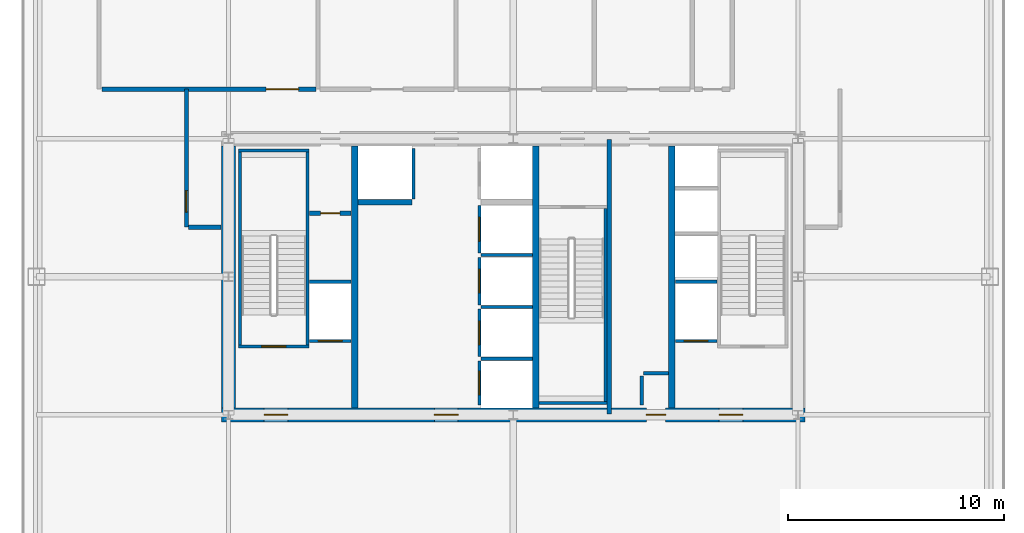
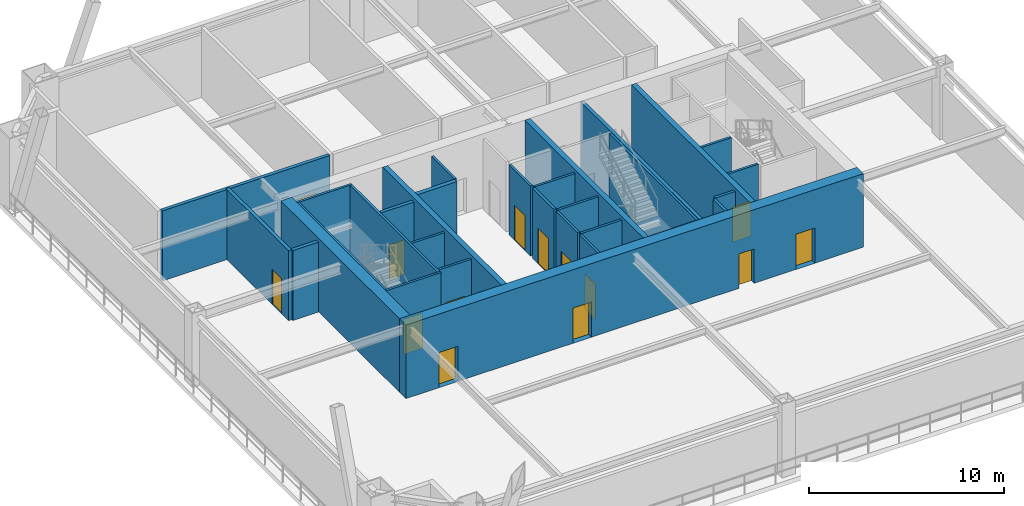
# One storey, part 4 of 9: 31 walls, 14 doors, 14 openings.
"""IFC4 building model written with IfcOpenShell, lengths in metres."""

from ifc_helpers import new_model, si_unit, direction, frame, frame_2d, origin, place, context, subcontext, project, spatial, rectangle, extrude, source, transform, mapped, material, layer, layer_set, type_object, element, fill, save


model = new_model("IFC4")

# Units and contexts
model_context = context("Model", 3, precision=1e-05, world=origin(), true_north=direction((0.0, 1.0)))
body_context = subcontext(model_context, "Body", "Model", "MODEL_VIEW")
ifc_project = project(units=[si_unit("LENGTHUNIT", "METRE"), si_unit("AREAUNIT", "SQUARE_METRE"), si_unit("VOLUMEUNIT", "CUBIC_METRE"), si_unit("PLANEANGLEUNIT", "RADIAN"), si_unit("MASSUNIT", "GRAM", prefix="KILO"), si_unit("THERMODYNAMICTEMPERATUREUNIT", "KELVIN"), si_unit("POWERUNIT", "WATT")], contexts=[model_context])

# Site, building, storey
site_placement = place(None, origin())
site = spatial("IfcSite", under=ifc_project, at=site_placement, CompositionType="ELEMENT")
building_placement = place(site_placement, origin())
building = spatial("IfcBuilding", under=site, at=building_placement, Name="Yuzanri Waterfront Tower", CompositionType="ELEMENT")
storey_placement = place(building_placement, frame((0.0, 0.0, 176.39990234375)))
storey = spatial("IfcBuildingStorey", under=building, at=storey_placement, Name="L46", CompositionType="ELEMENT", Elevation=176.39990234375)

# Wall, openings, doors
ifc_material_1 = material(Name="Concrete C50", Category="concrete")
ifc_layer_1 = layer(ifc_material_1, 0.64990234375)
ifc_layer_set_1 = layer_set([ifc_layer_1], Name="Concrete C50")
wall_type_1 = type_object("IfcWallType", Name="Concrete C50 Mid Zone Core Shear Wall 650", PredefinedType="SHEAR", material=ifc_layer_set_1)
wall_1_placement = place(storey_placement, frame((23.47509765625, 19.39990234375, 0.0), z_axis=(0.0, 0.0, 1.0), x_axis=(1.0, 0.0, 0.0)))
wall_1 = element("IfcWall", 1, at=wall_1_placement, inside=storey, type_object=wall_type_1, Name="L46 Core South Shear Wall", PredefinedType="SHEAR", context=body_context, shape_type="SweptSolid", body=[
    extrude(rectangle(XDim=27.0498046875, YDim=0.64990234375, at=frame_2d((13.52490234375, 0.0))), origin(), (0.0, 0.0, 1.0), 4.60009765625),
])
opening_1_placement = place(wall_1_placement, frame((1.97509765625, 0.0, 0.0)))
opening_1 = element("IfcOpeningElement", 2, at=opening_1_placement, cuts=wall_1, Name="Opening FD-1100", PredefinedType="OPENING", context=body_context, shape_type="SweptSolid", body=[
    extrude(rectangle(XDim=1.10009765625, YDim=2.199951171875, at=frame_2d((0.550048828125, 1.10009765625))), frame((0.0, 0.33984375, 0.0), z_axis=(0.0, -1.0, 0.0), x_axis=(1.0, 0.0, 0.0)), (0.0, 0.0, 1.0), 0.6796875),
])
opening_2_placement = place(wall_1_placement, frame((9.875, 0.0, 0.0)))
opening_2 = element("IfcOpeningElement", 3, at=opening_2_placement, cuts=wall_1, Name="Opening FD-1100", PredefinedType="OPENING", context=body_context, shape_type="SweptSolid", body=[
    extrude(rectangle(XDim=1.10009765625, YDim=2.199951171875, at=frame_2d((0.550048828125, 1.10009765625))), frame((0.0, 0.33984375, 0.0), z_axis=(0.0, -1.0, 0.0), x_axis=(1.0, 0.0, 0.0)), (0.0, 0.0, 1.0), 0.6796875),
])
opening_3_placement = place(wall_1_placement, frame((23.074951171875, 0.0, 0.0)))
opening_3 = element("IfcOpeningElement", 4, at=opening_3_placement, cuts=wall_1, Name="Opening FD-1100", PredefinedType="OPENING", context=body_context, shape_type="SweptSolid", body=[
    extrude(rectangle(XDim=1.10009765625, YDim=2.199951171875, at=frame_2d((0.550048828125, 1.10009765625))), frame((0.0, 0.33984375, 0.0), z_axis=(0.0, -1.0, 0.0), x_axis=(1.0, 0.0, 0.0)), (0.0, 0.0, 1.0), 0.6796875),
])
opening_4_placement = place(wall_1_placement, frame((19.695068359375, 0.0, 0.0)))
opening_4 = element("IfcOpeningElement", 5, at=opening_4_placement, cuts=wall_1, Name="Opening FD-0900", PredefinedType="OPENING", context=body_context, shape_type="SweptSolid", body=[
    extrude(rectangle(XDim=0.89990234375, YDim=2.14990234375, at=frame_2d((0.449951171875, 1.074951171875))), frame((0.0, 0.33984375, 0.0), z_axis=(0.0, -1.0, 0.0), x_axis=(1.0, 0.0, 0.0)), (0.0, 0.0, 1.0), 0.6796875),
])
ifc_material_2 = material(Name="Painted Galvanized Fire Steel", Category="steel")
door_type_1 = type_object("IfcDoorType", Name="Smoke-Proof Stair and Lobby Fire Door 1100x2200", OperationType="NOTDEFINED", PredefinedType="DOOR", material=ifc_material_2)
shared_shape_1 = source(origin(), body_context, "Body", "SweptSolid", [
    extrude(rectangle(XDim=1.10009765625, YDim=2.199951171875, at=frame_2d((0.550048828125, 1.10009765625))), frame((0.0, 0.02490234375, 0.0), z_axis=(0.0, -1.0, 0.0), x_axis=(1.0, 0.0, 0.0)), (0.0, 0.0, 1.0), 0.050048828125),
])
door_1_placement = place(opening_1_placement, origin())
door_1 = element("IfcDoor", 6, at=door_1_placement, inside=storey, type_object=door_type_1, Name="L46 West Firefighting Lobby Door", OperationType="SINGLE_SWING_LEFT", OverallHeight=2.199951171875, OverallWidth=1.10009765625, PredefinedType="DOOR", context=body_context, shape_type="MappedRepresentation", body=[
    mapped(shared_shape_1, transform((0.0, 0.0, 0.0), scale=1.0)),
])
fill(opening_1, door_1)
door_2_placement = place(opening_2_placement, origin())
door_2 = element("IfcDoor", 7, at=door_2_placement, inside=storey, type_object=door_type_1, Name="L46 Central Lift Lobby South Door", OperationType="SINGLE_SWING_RIGHT", OverallHeight=2.199951171875, OverallWidth=1.10009765625, PredefinedType="DOOR", context=body_context, shape_type="MappedRepresentation", body=[
    mapped(shared_shape_1, transform((0.0, 0.0, 0.0), scale=1.0)),
])
fill(opening_2, door_2)
door_3_placement = place(opening_3_placement, origin())
door_3 = element("IfcDoor", 8, at=door_3_placement, inside=storey, type_object=door_type_1, Name="L46 East Firefighting Lobby Door", OperationType="SINGLE_SWING_LEFT", OverallHeight=2.199951171875, OverallWidth=1.10009765625, PredefinedType="DOOR", context=body_context, shape_type="MappedRepresentation", body=[
    mapped(shared_shape_1, transform((0.0, 0.0, 0.0), scale=1.0)),
])
fill(opening_3, door_3)
ifc_material_3 = material(Name="Painted Galvanized Fire Steel", Category="steel")
door_type_2 = type_object("IfcDoorType", Name="Riser and Service Room Fire Door 900x2150", OperationType="NOTDEFINED", PredefinedType="DOOR", material=ifc_material_3)
shared_shape_2 = source(origin(), body_context, "Body", "SweptSolid", [
    extrude(rectangle(XDim=0.89990234375, YDim=2.14990234375, at=frame_2d((0.449951171875, 1.074951171875))), frame((0.0, 0.02490234375, 0.0), z_axis=(0.0, -1.0, 0.0), x_axis=(1.0, 0.0, 0.0)), (0.0, 0.0, 1.0), 0.050048828125),
])
door_4_placement = place(opening_4_placement, origin())
door_4 = element("IfcDoor", 9, at=door_4_placement, inside=storey, type_object=door_type_2, Name="L46 East Wet Riser Door", OperationType="SINGLE_SWING_RIGHT", OverallHeight=2.14990234375, OverallWidth=0.89990234375, PredefinedType="DOOR", context=body_context, shape_type="MappedRepresentation", body=[
    mapped(shared_shape_2, transform((0.0, 0.0, 0.0), scale=1.0)),
])
fill(opening_4, door_4)

# Wall, opening, door
ifc_material_4 = material(Name="Concrete C40", Category="concrete")
ifc_layer_2 = layer(ifc_material_4, 0.139892578125)
ifc_layer_set_2 = layer_set([ifc_layer_2], Name="Concrete C40")
wall_type_2 = type_object("IfcWallType", Name="Core Stair Liner and Hoistway Shaft Wall 140", PredefinedType="SOLIDWALL", material=ifc_layer_set_2)
wall_2_placement = place(storey_placement, frame((27.56005859375, 22.830078125, 0.0), z_axis=(0.0, 0.0, 1.0), x_axis=(1.0, 0.0, 0.0)))
wall_2 = element("IfcWall", 10, at=wall_2_placement, inside=storey, type_object=wall_type_2, Name="L46 Lift FL-01 Front Shaft Wall", PredefinedType="SOLIDWALL", context=body_context, shape_type="SweptSolid", body=[
    extrude(rectangle(XDim=1.919921875, YDim=0.139892578125, at=frame_2d((0.9599609375, 0.0))), origin(), (0.0, 0.0, 1.0), 4.380126953125),
])
opening_5_placement = place(wall_2_placement, frame((0.409912109375, 0.0, 0.0)))
opening_5 = element("IfcOpeningElement", 11, at=opening_5_placement, cuts=wall_2, Name="Opening LD-FL-01", PredefinedType="OPENING", context=body_context, shape_type="SweptSolid", body=[
    extrude(rectangle(XDim=1.10009765625, YDim=2.199951171875, at=frame_2d((0.550048828125, 1.10009765625))), frame((0.0, 0.0849609375, 0.0), z_axis=(0.0, -1.0, 0.0), x_axis=(1.0, 0.0, 0.0)), (0.0, 0.0, 1.0), 0.169677734375),
])
ifc_material_5 = material(Name="Brushed Bronze and Stainless Steel Cab", Category="steel")
door_type_3 = type_object("IfcDoorType", Name="Center-Parting Bronze Lift Landing Sliding Door 1100x2200", OperationType="NOTDEFINED", PredefinedType="DOOR", material=ifc_material_5)
shared_shape_3 = source(origin(), body_context, "Body", "SweptSolid", [
    extrude(rectangle(XDim=1.10009765625, YDim=2.199951171875, at=frame_2d((0.550048828125, 1.10009765625))), frame((0.0, 0.02490234375, 0.0), z_axis=(0.0, -1.0, 0.0), x_axis=(1.0, 0.0, 0.0)), (0.0, 0.0, 1.0), 0.050048828125),
])
door_5_placement = place(opening_5_placement, origin())
door_5 = element("IfcDoor", 12, at=door_5_placement, inside=storey, type_object=door_type_3, Name="L46 FL-01 Lift Landing Sliding Door", OperationType="SLIDING_TO_LEFT", OverallHeight=2.199951171875, OverallWidth=1.10009765625, PredefinedType="DOOR", context=body_context, shape_type="MappedRepresentation", body=[
    mapped(shared_shape_3, transform((0.0, 0.0, 0.0), scale=1.0)),
])
fill(opening_5, door_5)

wall_3_placement = place(storey_placement, frame((44.52001953125, 22.830078125, 0.0), z_axis=(0.0, 0.0, 1.0), x_axis=(1.0, 0.0, 0.0)))
wall_3 = element("IfcWall", 13, at=wall_3_placement, inside=storey, type_object=wall_type_2, Name="L46 Lift FL-02 Front Shaft Wall", PredefinedType="SOLIDWALL", context=body_context, shape_type="SweptSolid", body=[
    extrude(rectangle(XDim=1.919921875, YDim=0.139892578125, at=frame_2d((0.9599609375, 0.0))), origin(), (0.0, 0.0, 1.0), 4.380126953125),
])
opening_6_placement = place(wall_3_placement, frame((0.409912109375, 0.0, 0.0)))
opening_6 = element("IfcOpeningElement", 14, at=opening_6_placement, cuts=wall_3, Name="Opening LD-FL-02", PredefinedType="OPENING", context=body_context, shape_type="SweptSolid", body=[
    extrude(rectangle(XDim=1.10009765625, YDim=2.199951171875, at=frame_2d((0.550048828125, 1.10009765625))), frame((0.0, 0.0849609375, 0.0), z_axis=(0.0, -1.0, 0.0), x_axis=(1.0, 0.0, 0.0)), (0.0, 0.0, 1.0), 0.169677734375),
])
door_6_placement = place(opening_6_placement, origin())
door_6 = element("IfcDoor", 15, at=door_6_placement, inside=storey, type_object=door_type_3, Name="L46 FL-02 Lift Landing Sliding Door", OperationType="SLIDING_TO_RIGHT", OverallHeight=2.199951171875, OverallWidth=1.10009765625, PredefinedType="DOOR", context=body_context, shape_type="MappedRepresentation", body=[
    mapped(shared_shape_3, transform((0.0, 0.0, 0.0), scale=1.0)),
])
fill(opening_6, door_6)

wall_4_placement = place(storey_placement, frame((35.429931640625, 19.860107421875, 0.0), z_axis=(0.0, 0.0, 1.0), x_axis=(0.0, 1.0, 0.0)))
wall_4 = element("IfcWall", 16, at=wall_4_placement, inside=storey, type_object=wall_type_2, Name="L46 Lift PL-05 Front Shaft Wall", PredefinedType="SOLIDWALL", context=body_context, shape_type="SweptSolid", body=[
    extrude(rectangle(XDim=2.039794921875, YDim=0.139892578125, at=frame_2d((1.02001953125, 0.0))), origin(), (0.0, 0.0, 1.0), 4.380126953125),
])
opening_7_placement = place(wall_4_placement, frame((0.469970703125, 0.0, 0.0)))
opening_7 = element("IfcOpeningElement", 17, at=opening_7_placement, cuts=wall_4, Name="Opening LD-PL-05", PredefinedType="OPENING", context=body_context, shape_type="SweptSolid", body=[
    extrude(rectangle(XDim=1.10009765625, YDim=2.199951171875, at=frame_2d((0.550048828125, 1.10009765625))), frame((0.0, 0.0849609375, 0.0), z_axis=(0.0, -1.0, 0.0), x_axis=(1.0, 0.0, 0.0)), (0.0, 0.0, 1.0), 0.169677734375),
])
door_7_placement = place(opening_7_placement, origin())
door_7 = element("IfcDoor", 18, at=door_7_placement, inside=storey, type_object=door_type_3, Name="L46 PL-05 Lift Landing Sliding Door", OperationType="SLIDING_TO_RIGHT", OverallHeight=2.199951171875, OverallWidth=1.10009765625, PredefinedType="DOOR", context=body_context, shape_type="MappedRepresentation", body=[
    mapped(shared_shape_3, transform((0.0, 0.0, 0.0), scale=1.0)),
])
fill(opening_7, door_7)

wall_5_placement = place(storey_placement, frame((35.429931640625, 22.10009765625, 0.0), z_axis=(0.0, 0.0, 1.0), x_axis=(0.0, 1.0, 0.0)))
wall_5 = element("IfcWall", 19, at=wall_5_placement, inside=storey, type_object=wall_type_2, Name="L46 Lift PL-06 Front Shaft Wall", PredefinedType="SOLIDWALL", context=body_context, shape_type="SweptSolid", body=[
    extrude(rectangle(XDim=2.199951171875, YDim=0.139892578125, at=frame_2d((1.10009765625, 0.0))), origin(), (0.0, 0.0, 1.0), 4.380126953125),
])
opening_8_placement = place(wall_5_placement, frame((0.550048828125, 0.0, 0.0)))
opening_8 = element("IfcOpeningElement", 20, at=opening_8_placement, cuts=wall_5, Name="Opening LD-PL-06", PredefinedType="OPENING", context=body_context, shape_type="SweptSolid", body=[
    extrude(rectangle(XDim=1.10009765625, YDim=2.199951171875, at=frame_2d((0.550048828125, 1.10009765625))), frame((0.0, 0.0849609375, 0.0), z_axis=(0.0, -1.0, 0.0), x_axis=(1.0, 0.0, 0.0)), (0.0, 0.0, 1.0), 0.169677734375),
])
door_8_placement = place(opening_8_placement, origin())
door_8 = element("IfcDoor", 21, at=door_8_placement, inside=storey, type_object=door_type_3, Name="L46 PL-06 Lift Landing Sliding Door", OperationType="SLIDING_TO_LEFT", OverallHeight=2.199951171875, OverallWidth=1.10009765625, PredefinedType="DOOR", context=body_context, shape_type="MappedRepresentation", body=[
    mapped(shared_shape_3, transform((0.0, 0.0, 0.0), scale=1.0)),
])
fill(opening_8, door_8)

wall_6_placement = place(storey_placement, frame((35.429931640625, 24.5, 0.0), z_axis=(0.0, 0.0, 1.0), x_axis=(0.0, 1.0, 0.0)))
wall_6 = element("IfcWall", 22, at=wall_6_placement, inside=storey, type_object=wall_type_2, Name="L46 Lift PL-07 Front Shaft Wall", PredefinedType="SOLIDWALL", context=body_context, shape_type="SweptSolid", body=[
    extrude(rectangle(XDim=2.199951171875, YDim=0.139892578125, at=frame_2d((1.10009765625, 0.0))), origin(), (0.0, 0.0, 1.0), 4.380126953125),
])
opening_9_placement = place(wall_6_placement, frame((0.550048828125, 0.0, 0.0)))
opening_9 = element("IfcOpeningElement", 23, at=opening_9_placement, cuts=wall_6, Name="Opening LD-PL-07", PredefinedType="OPENING", context=body_context, shape_type="SweptSolid", body=[
    extrude(rectangle(XDim=1.10009765625, YDim=2.199951171875, at=frame_2d((0.550048828125, 1.10009765625))), frame((0.0, 0.0849609375, 0.0), z_axis=(0.0, -1.0, 0.0), x_axis=(1.0, 0.0, 0.0)), (0.0, 0.0, 1.0), 0.169677734375),
])
door_9_placement = place(opening_9_placement, origin())
door_9 = element("IfcDoor", 24, at=door_9_placement, inside=storey, type_object=door_type_3, Name="L46 PL-07 Lift Landing Sliding Door", OperationType="SLIDING_TO_RIGHT", OverallHeight=2.199951171875, OverallWidth=1.10009765625, PredefinedType="DOOR", context=body_context, shape_type="MappedRepresentation", body=[
    mapped(shared_shape_3, transform((0.0, 0.0, 0.0), scale=1.0)),
])
fill(opening_9, door_9)

wall_7_placement = place(storey_placement, frame((35.429931640625, 26.89990234375, 0.0), z_axis=(0.0, 0.0, 1.0), x_axis=(0.0, 1.0, 0.0)))
wall_7 = element("IfcWall", 25, at=wall_7_placement, inside=storey, type_object=wall_type_2, Name="L46 Lift PL-08 Front Shaft Wall", PredefinedType="SOLIDWALL", context=body_context, shape_type="SweptSolid", body=[
    extrude(rectangle(XDim=2.2001953125, YDim=0.139892578125, at=frame_2d((1.10009765625, 0.0))), origin(), (0.0, 0.0, 1.0), 4.380126953125),
])
opening_10_placement = place(wall_7_placement, frame((0.550048828125, 0.0, 0.0)))
opening_10 = element("IfcOpeningElement", 26, at=opening_10_placement, cuts=wall_7, Name="Opening LD-PL-08", PredefinedType="OPENING", context=body_context, shape_type="SweptSolid", body=[
    extrude(rectangle(XDim=1.10009765625, YDim=2.199951171875, at=frame_2d((0.550048828125, 1.10009765625))), frame((0.0, 0.0849609375, 0.0), z_axis=(0.0, -1.0, 0.0), x_axis=(1.0, 0.0, 0.0)), (0.0, 0.0, 1.0), 0.169677734375),
])
door_10_placement = place(opening_10_placement, origin())
door_10 = element("IfcDoor", 27, at=door_10_placement, inside=storey, type_object=door_type_3, Name="L46 PL-08 Lift Landing Sliding Door", OperationType="SLIDING_TO_LEFT", OverallHeight=2.199951171875, OverallWidth=1.10009765625, PredefinedType="DOOR", context=body_context, shape_type="MappedRepresentation", body=[
    mapped(shared_shape_3, transform((0.0, 0.0, 0.0), scale=1.0)),
])
fill(opening_10, door_10)

wall_8_placement = place(storey_placement, frame((24.260009765625, 22.570068359375, 0.0), z_axis=(0.0, 0.0, 1.0), x_axis=(1.0, 0.0, 0.0)))
wall_8 = element("IfcWall", 28, at=wall_8_placement, inside=storey, type_object=wall_type_2, Name="L46 Shaft Wall STW-L46-ST-01-S", PredefinedType="SOLIDWALL", context=body_context, shape_type="SweptSolid", body=[
    extrude(rectangle(XDim=3.280029296875, YDim=0.139892578125, at=frame_2d((1.64013671875, 0.0))), origin(), (0.0, 0.0, 1.0), 4.380126953125),
])
opening_11_placement = place(wall_8_placement, frame((1.090087890625, 0.0, 0.0)))
opening_11 = element("IfcOpeningElement", 29, at=opening_11_placement, cuts=wall_8, Name="Opening FD-1100", PredefinedType="OPENING", context=body_context, shape_type="SweptSolid", body=[
    extrude(rectangle(XDim=1.10009765625, YDim=2.199951171875, at=frame_2d((0.550048828125, 1.10009765625))), frame((0.0, 0.0849609375, 0.0), z_axis=(0.0, -1.0, 0.0), x_axis=(1.0, 0.0, 0.0)), (0.0, 0.0, 1.0), 0.169677734375),
])
door_11_placement = place(opening_11_placement, origin())
door_11 = element("IfcDoor", 30, at=door_11_placement, inside=storey, type_object=door_type_1, Name="L46 Stair ST-01 Fire Door", OperationType="SINGLE_SWING_RIGHT", OverallHeight=2.199951171875, OverallWidth=1.10009765625, PredefinedType="DOOR", context=body_context, shape_type="MappedRepresentation", body=[
    mapped(shared_shape_1, transform((0.0, 0.0, 0.0), scale=1.0)),
])
fill(opening_11, door_11)

ifc_material_6 = material(Name="Autoclaved Aerated Concrete Blockwork", Category="masonry")
ifc_layer_3 = layer(ifc_material_6, 0.199951171875)
ifc_layer_set_3 = layer_set([ifc_layer_3], Name="Autoclaved Aerated Concrete Blockwork")
wall_type_3 = type_object("IfcWallType", Name="Corridor and Unit Party Fire Wall 200", PredefinedType="PARTITIONING", material=ifc_layer_set_3)
wall_9_placement = place(storey_placement, frame((27.56005859375, 28.75, 0.0), z_axis=(0.0, 0.0, 1.0), x_axis=(1.0, 0.0, 0.0)))
wall_9 = element("IfcWall", 31, at=wall_9_placement, inside=storey, type_object=wall_type_3, Name="L46 Partition CRW-L46-ERTR", PredefinedType="PARTITIONING", context=body_context, shape_type="SweptSolid", body=[
    extrude(rectangle(XDim=1.919921875, YDim=0.199951171875, at=frame_2d((0.9599609375, 0.0))), origin(), (0.0, 0.0, 1.0), 4.380126953125),
])
opening_12_placement = place(wall_9_placement, frame((0.510009765625, 0.0, 0.0)))
opening_12 = element("IfcOpeningElement", 32, at=opening_12_placement, cuts=wall_9, Name="Opening FD-0900", PredefinedType="OPENING", context=body_context, shape_type="SweptSolid", body=[
    extrude(rectangle(XDim=0.89990234375, YDim=2.14990234375, at=frame_2d((0.449951171875, 1.074951171875))), frame((0.0, 0.11474609375, 0.0), z_axis=(0.0, -1.0, 0.0), x_axis=(1.0, 0.0, 0.0)), (0.0, 0.0, 1.0), 0.229736328125),
])
door_12_placement = place(opening_12_placement, origin())
door_12 = element("IfcDoor", 33, at=door_12_placement, inside=storey, type_object=door_type_2, Name="L46 Electrical Riser Door", OperationType="SINGLE_SWING_LEFT", OverallHeight=2.14990234375, OverallWidth=0.89990234375, PredefinedType="DOOR", context=body_context, shape_type="MappedRepresentation", body=[
    mapped(shared_shape_2, transform((0.0, 0.0, 0.0), scale=1.0)),
])
fill(opening_12, door_12)

wall_10_placement = place(storey_placement, frame((21.85009765625, 28.10009765625, 0.0), z_axis=(0.0, 0.0, 1.0), x_axis=(0.0, 1.0, 0.0)))
wall_10 = element("IfcWall", 34, at=wall_10_placement, inside=storey, type_object=wall_type_3, Name="L46 Partition RFW-L46-CW", PredefinedType="PARTITIONING", context=body_context, shape_type="SweptSolid", body=[
    extrude(rectangle(XDim=6.39990234375, YDim=0.199951171875, at=frame_2d((3.199951171875, 0.0))), origin(), (0.0, 0.0, 1.0), 4.380126953125),
])
opening_13_placement = place(wall_10_placement, frame((0.699951171875, 0.0, 0.0)))
opening_13 = element("IfcOpeningElement", 35, at=opening_13_placement, cuts=wall_10, Name="Opening TD-1000", PredefinedType="OPENING", context=body_context, shape_type="SweptSolid", body=[
    extrude(rectangle(XDim=1.0, YDim=2.199951171875, at=frame_2d((0.5, 1.10009765625))), frame((0.0, 0.11474609375, 0.0), z_axis=(0.0, -1.0, 0.0), x_axis=(1.0, 0.0, 0.0)), (0.0, 0.0, 1.0), 0.229736328125),
])
ifc_material_7 = material(Name="Anodized Architectural Bronze", Category="metal")
door_type_4 = type_object("IfcDoorType", Name="Anodized Bronze Refuge Deck Weatherproof Exit Door 1000x2200", OperationType="NOTDEFINED", PredefinedType="DOOR", material=ifc_material_7)
shared_shape_4 = source(origin(), body_context, "Body", "SweptSolid", [
    extrude(rectangle(XDim=1.0, YDim=2.199951171875, at=frame_2d((0.5, 1.10009765625))), frame((0.0, 0.02490234375, 0.0), z_axis=(0.0, -1.0, 0.0), x_axis=(1.0, 0.0, 0.0)), (0.0, 0.0, 1.0), 0.050048828125),
])
door_13_placement = place(opening_13_placement, origin())
door_13 = element("IfcDoor", 36, at=door_13_placement, inside=storey, type_object=door_type_4, Name="L46 West Refuge Deck Exit Door", OperationType="SINGLE_SWING_RIGHT", OverallHeight=2.199951171875, OverallWidth=1.0, PredefinedType="DOOR", context=body_context, shape_type="MappedRepresentation", body=[
    mapped(shared_shape_4, transform((0.0, 0.0, 0.0), scale=1.0)),
])
fill(opening_13, door_13)

wall_11_placement = place(storey_placement, frame((17.93994140625, 34.5, 0.0), z_axis=(0.0, 0.0, 1.0), x_axis=(1.0, 0.0, 0.0)))
wall_11 = element("IfcWall", 37, at=wall_11_placement, inside=storey, type_object=wall_type_3, Name="L46 Partition RFW-L46-016-S", PredefinedType="PARTITIONING", context=body_context, shape_type="SweptSolid", body=[
    extrude(rectangle(XDim=9.9111328125, YDim=0.199951171875, at=frame_2d((4.95556640625, 0.0))), origin(), (0.0, 0.0, 1.0), 4.380126953125),
])
opening_14_placement = place(wall_11_placement, frame((7.610107421875, 0.0, 0.0)))
opening_14 = element("IfcOpeningElement", 38, at=opening_14_placement, cuts=wall_11, Name="Opening FD-1500", PredefinedType="OPENING", context=body_context, shape_type="SweptSolid", body=[
    extrude(rectangle(XDim=1.5, YDim=2.300048828125, at=frame_2d((0.75, 1.14990234375))), frame((0.0, 0.11474609375, 0.0), z_axis=(0.0, -1.0, 0.0), x_axis=(1.0, 0.0, 0.0)), (0.0, 0.0, 1.0), 0.229736328125),
])
ifc_material_8 = material(Name="Painted Galvanized Fire Steel", Category="steel")
door_type_5 = type_object("IfcDoorType", Name="Plant and Ballroom Double Fire Door 1500x2300", OperationType="NOTDEFINED", PredefinedType="DOOR", material=ifc_material_8)
shared_shape_5 = source(origin(), body_context, "Body", "SweptSolid", [
    extrude(rectangle(XDim=1.5, YDim=2.300048828125, at=frame_2d((0.75, 1.14990234375))), frame((0.0, 0.02490234375, 0.0), z_axis=(0.0, -1.0, 0.0), x_axis=(1.0, 0.0, 0.0)), (0.0, 0.0, 1.0), 0.050048828125),
])
door_14_placement = place(opening_14_placement, origin())
door_14 = element("IfcDoor", 39, at=door_14_placement, inside=storey, type_object=door_type_5, Name="L46 Air-Handling Plant Room", OperationType="DOUBLE_DOOR_SINGLE_SWING", OverallHeight=2.300048828125, OverallWidth=1.5, PredefinedType="DOOR", context=body_context, shape_type="MappedRepresentation", body=[
    mapped(shared_shape_5, transform((0.0, 0.0, 0.0), scale=1.0)),
])
fill(opening_14, door_14)

# Walls
shared_shape_6 = source(origin(), body_context, "Body", "SweptSolid", [
    extrude(rectangle(XDim=12.14990234375, YDim=0.64990234375, at=frame_2d((6.074951171875, 0.0))), origin(), (0.0, 0.0, 1.0), 4.60009765625),
])
wall_12_placement = place(storey_placement, frame((23.800048828125, 19.72509765625, 0.0), z_axis=(0.0, 0.0, 1.0), x_axis=(0.0, 1.0, 0.0)))
element("IfcWall", 40, at=wall_12_placement, inside=storey, type_object=wall_type_1, Name="L46 Core West Shear Wall", PredefinedType="SHEAR", context=body_context, shape_type="MappedRepresentation", body=[
    mapped(shared_shape_6, transform((0.0, 0.0, 0.0), scale=1.0)),
])
ifc_material_9 = material(Name="Concrete C50", Category="concrete")
ifc_layer_4 = layer(ifc_material_9, 0.300048828125)
ifc_layer_set_4 = layer_set([ifc_layer_4], Name="Concrete C50")
wall_type_4 = type_object("IfcWallType", Name="Concrete C50 Internal Core Shaft Structural Wall 300", PredefinedType="SOLIDWALL", material=ifc_layer_set_4)
shared_shape_7 = source(origin(), body_context, "Body", "SweptSolid", [
    extrude(rectangle(XDim=12.14990234375, YDim=0.300048828125, at=frame_2d((6.074951171875, 0.0))), origin(), (0.0, 0.0, 1.0), 4.60009765625),
])
for number, where, z_axis, x_axis, name in (
    (41, (29.64990234375, 19.72509765625, 0.0), (0.0, 0.0, 1.0), (0.0, 1.0, 0.0), "L46 Core Internal Structural Web Wall 1"),
    (42, (38.050048828125, 19.72509765625, 0.0), (0.0, 0.0, 1.0), (0.0, 1.0, 0.0), "L46 Core Internal Structural Web Wall 2"),
    (43, (44.35009765625, 19.72509765625, 0.0), (0.0, 0.0, 1.0), (0.0, 1.0, 0.0), "L46 Core Internal Structural Web Wall 3"),
):
    element("IfcWall", number, at=place(storey_placement, frame(where, z_axis=z_axis, x_axis=x_axis)), inside=storey, type_object=wall_type_4, Name=name, PredefinedType="SOLIDWALL", context=body_context, shape_type="MappedRepresentation", body=[
        mapped(shared_shape_7, transform((0.0, 0.0, 0.0), scale=1.0)),
    ])
shared_shape_8 = source(origin(), body_context, "Body", "SweptSolid", [
    extrude(rectangle(XDim=1.919921875, YDim=0.139892578125, at=frame_2d((0.9599609375, 0.0))), origin(), (0.0, 0.0, 1.0), 4.380126953125),
])
for number, where, z_axis, x_axis, name in (
    (44, (27.56005859375, 25.570068359375, 0.0), (0.0, 0.0, 1.0), (1.0, 0.0, 0.0), "L46 Lift FL-01 Back Shaft Wall"),
    (45, (44.52001953125, 25.570068359375, 0.0), (0.0, 0.0, 1.0), (1.0, 0.0, 0.0), "L46 Lift FL-02 Back Shaft Wall"),
):
    element("IfcWall", number, at=place(storey_placement, frame(where, z_axis=z_axis, x_axis=x_axis)), inside=storey, type_object=wall_type_2, Name=name, PredefinedType="SOLIDWALL", context=body_context, shape_type="MappedRepresentation", body=[
        mapped(shared_shape_8, transform((0.0, 0.0, 0.0), scale=1.0)),
    ])
ifc_material_10 = material(Name="Concrete C40", Category="concrete")
ifc_layer_5 = layer(ifc_material_10, 0.25)
ifc_layer_set_5 = layer_set([ifc_layer_5], Name="Concrete C40")
wall_type_5 = type_object("IfcWallType", Name="Smoke-Proof Stair and Lift Shaft Wall 250", PredefinedType="SOLIDWALL", material=ifc_layer_set_5)
shared_shape_9 = source(origin(), body_context, "Body", "SweptSolid", [
    extrude(rectangle(XDim=2.5, YDim=0.25, at=frame_2d((1.25, 0.0))), origin(), (0.0, 0.0, 1.0), 4.380126953125),
])
wall_13_placement = place(storey_placement, frame((29.800048828125, 29.25, 0.0), z_axis=(0.0, 0.0, 1.0), x_axis=(1.0, 0.0, 0.0)))
element("IfcWall", 46, at=wall_13_placement, inside=storey, type_object=wall_type_5, Name="L46 Lift SL-01 South Shaft Wall", PredefinedType="SOLIDWALL", context=body_context, shape_type="MappedRepresentation", body=[
    mapped(shared_shape_9, transform((0.0, 0.0, 0.0), scale=1.0)),
])
shared_shape_10 = source(origin(), body_context, "Body", "SweptSolid", [
    extrude(rectangle(XDim=2.340087890625, YDim=0.139892578125, at=frame_2d((1.169921875, 0.0))), origin(), (0.0, 0.0, 1.0), 4.380126953125),
])
wall_14_placement = place(storey_placement, frame((32.3701171875, 29.39990234375, 0.0), z_axis=(0.0, 0.0, 1.0), x_axis=(0.0, 1.0, 0.0)))
element("IfcWall", 47, at=wall_14_placement, inside=storey, type_object=wall_type_2, Name="L46 Lift SL-01 Front Shaft Wall", PredefinedType="SOLIDWALL", context=body_context, shape_type="MappedRepresentation", body=[
    mapped(shared_shape_10, transform((0.0, 0.0, 0.0), scale=1.0)),
])
shared_shape_11 = source(origin(), body_context, "Body", "SweptSolid", [
    extrude(rectangle(XDim=2.39990234375, YDim=0.139892578125, at=frame_2d((1.199951171875, 0.0))), origin(), (0.0, 0.0, 1.0), 4.380126953125),
])
for number, where, z_axis, x_axis, name in (
    (48, (35.5, 22.0, 0.0), (0.0, 0.0, 1.0), (1.0, 0.0, 0.0), "L46 Lift PL-05 Divider Wall"),
    (49, (35.5, 24.39990234375, 0.0), (0.0, 0.0, 1.0), (1.0, 0.0, 0.0), "L46 Lift PL-06 Divider Wall"),
    (50, (35.5, 26.800048828125, 0.0), (0.0, 0.0, 1.0), (1.0, 0.0, 0.0), "L46 Lift PL-07 Divider Wall"),
):
    element("IfcWall", number, at=place(storey_placement, frame(where, z_axis=z_axis, x_axis=x_axis)), inside=storey, type_object=wall_type_2, Name=name, PredefinedType="SOLIDWALL", context=body_context, shape_type="MappedRepresentation", body=[
        mapped(shared_shape_11, transform((0.0, 0.0, 0.0), scale=1.0)),
    ])
shared_shape_12 = source(origin(), body_context, "Body", "SweptSolid", [
    extrude(rectangle(XDim=3.280029296875, YDim=0.139892578125, at=frame_2d((1.64013671875, 0.0))), origin(), (0.0, 0.0, 1.0), 4.380126953125),
])
wall_15_placement = place(storey_placement, frame((24.260009765625, 31.64990234375, 0.0), z_axis=(0.0, 0.0, 1.0), x_axis=(1.0, 0.0, 0.0)))
element("IfcWall", 51, at=wall_15_placement, inside=storey, type_object=wall_type_2, Name="L46 Stair ST-01 North Shaft Wall", PredefinedType="SOLIDWALL", context=body_context, shape_type="MappedRepresentation", body=[
    mapped(shared_shape_12, transform((0.0, 0.0, 0.0), scale=1.0)),
])
shared_shape_13 = source(origin(), body_context, "Body", "SweptSolid", [
    extrude(rectangle(XDim=8.940185546875, YDim=0.139892578125, at=frame_2d((4.47021484375, 0.0))), origin(), (0.0, 0.0, 1.0), 4.380126953125),
])
for number, where, z_axis, x_axis, name in (
    (52, (24.330078125, 22.639892578125, 0.0), (0.0, 0.0, 1.0), (0.0, 1.0, 0.0), "L46 Stair ST-01 West Shaft Wall"),
    (53, (27.469970703125, 22.639892578125, 0.0), (0.0, 0.0, 1.0), (0.0, 1.0, 0.0), "L46 Stair ST-01 East Shaft Wall"),
):
    element("IfcWall", number, at=place(storey_placement, frame(where, z_axis=z_axis, x_axis=x_axis)), inside=storey, type_object=wall_type_2, Name=name, PredefinedType="SOLIDWALL", context=body_context, shape_type="MappedRepresentation", body=[
        mapped(shared_shape_13, transform((0.0, 0.0, 0.0), scale=1.0)),
    ])
shared_shape_14 = source(origin(), body_context, "Body", "SweptSolid", [
    extrude(rectangle(XDim=3.14013671875, YDim=0.139892578125, at=frame_2d((1.570068359375, 0.0))), origin(), (0.0, 0.0, 1.0), 4.380126953125),
])
wall_16_placement = place(storey_placement, frame((38.199951171875, 19.949951171875, 0.0), z_axis=(0.0, 0.0, 1.0), x_axis=(1.0, 0.0, 0.0)))
element("IfcWall", 54, at=wall_16_placement, inside=storey, type_object=wall_type_2, Name="L46 Stair ST-03 South Shaft Wall", PredefinedType="SOLIDWALL", context=body_context, shape_type="MappedRepresentation", body=[
    mapped(shared_shape_14, transform((0.0, 0.0, 0.0), scale=1.0)),
])
shared_shape_15 = source(origin(), body_context, "Body", "SweptSolid", [
    extrude(rectangle(XDim=8.93994140625, YDim=0.139892578125, at=frame_2d((4.469970703125, 0.0))), origin(), (0.0, 0.0, 1.0), 4.380126953125),
])
wall_17_placement = place(storey_placement, frame((41.27001953125, 20.02001953125, 0.0), z_axis=(0.0, 0.0, 1.0), x_axis=(0.0, 1.0, 0.0)))
element("IfcWall", 55, at=wall_17_placement, inside=storey, type_object=wall_type_2, Name="L46 Stair ST-03 East Shaft Wall", PredefinedType="SOLIDWALL", context=body_context, shape_type="MappedRepresentation", body=[
    mapped(shared_shape_15, transform((0.0, 0.0, 0.0), scale=1.0)),
])
ifc_material_11 = material(Name="Gypsum Fireboard Acoustic Stud Wall", Category="gypsum")
ifc_layer_6 = layer(ifc_material_11, 0.159912109375)
ifc_layer_set_6 = layer_set([ifc_layer_6], Name="Gypsum Fireboard Acoustic Stud Wall")
wall_type_6 = type_object("IfcWallType", Name="Acoustic Suite Demising Partition 160", PredefinedType="PARTITIONING", material=ifc_layer_set_6)
shared_shape_16 = source(origin(), body_context, "Body", "SweptSolid", [
    extrude(rectangle(XDim=1.33984375, YDim=0.159912109375, at=frame_2d((0.669921875, 0.0))), origin(), (0.0, 0.0, 1.0), 4.380126953125),
])
wall_18_placement = place(storey_placement, frame((42.949951171875, 19.860107421875, 0.0), z_axis=(0.0, 0.0, 1.0), x_axis=(0.0, 1.0, 0.0)))
element("IfcWall", 56, at=wall_18_placement, inside=storey, type_object=wall_type_6, Name="L46 East Wet Riser West Wall", PredefinedType="PARTITIONING", context=body_context, shape_type="MappedRepresentation", body=[
    mapped(shared_shape_16, transform((0.0, 0.0, 0.0), scale=1.0)),
])
shared_shape_17 = source(origin(), body_context, "Body", "SweptSolid", [
    extrude(rectangle(XDim=1.169921875, YDim=0.159912109375, at=frame_2d((0.5849609375, 0.0))), origin(), (0.0, 0.0, 1.0), 4.380126953125),
])
wall_19_placement = place(storey_placement, frame((43.030029296875, 21.320068359375, 0.0), z_axis=(0.0, 0.0, 1.0), x_axis=(1.0, 0.0, 0.0)))
element("IfcWall", 57, at=wall_19_placement, inside=storey, type_object=wall_type_6, Name="L46 East Wet Riser North Wall", PredefinedType="PARTITIONING", context=body_context, shape_type="MappedRepresentation", body=[
    mapped(shared_shape_17, transform((0.0, 0.0, 0.0), scale=1.0)),
])
shared_shape_18 = source(origin(), body_context, "Body", "SweptSolid", [
    extrude(rectangle(XDim=12.719970703125, YDim=0.199951171875, at=frame_2d((6.35986328125, 0.0))), origin(), (0.0, 0.0, 1.0), 4.380126953125),
])
wall_20_placement = place(storey_placement, frame((41.449951171875, 19.43994140625, 0.0), z_axis=(0.0, 0.0, 1.0), x_axis=(0.0, 1.0, 0.0)))
element("IfcWall", 58, at=wall_20_placement, inside=storey, type_object=wall_type_3, Name="L46 Core BOH West Wall 1", PredefinedType="PARTITIONING", context=body_context, shape_type="MappedRepresentation", body=[
    mapped(shared_shape_18, transform((0.0, 0.0, 0.0), scale=1.0)),
])
shared_shape_19 = source(origin(), body_context, "Body", "SweptSolid", [
    extrude(rectangle(XDim=1.505126953125, YDim=0.199951171875, at=frame_2d((0.75244140625, 0.0))), origin(), (0.0, 0.0, 1.0), 4.380126953125),
])
wall_21_placement = place(storey_placement, frame((21.949951171875, 28.10009765625, 0.0), z_axis=(0.0, 0.0, 1.0), x_axis=(1.0, 0.0, 0.0)))
element("IfcWall", 59, at=wall_21_placement, inside=storey, type_object=wall_type_3, Name="L46 West Refuge Vestibule South Wall", PredefinedType="PARTITIONING", context=body_context, shape_type="MappedRepresentation", body=[
    mapped(shared_shape_19, transform((0.0, 0.0, 0.0), scale=1.0)),
])

save(model, "model.ifc")
